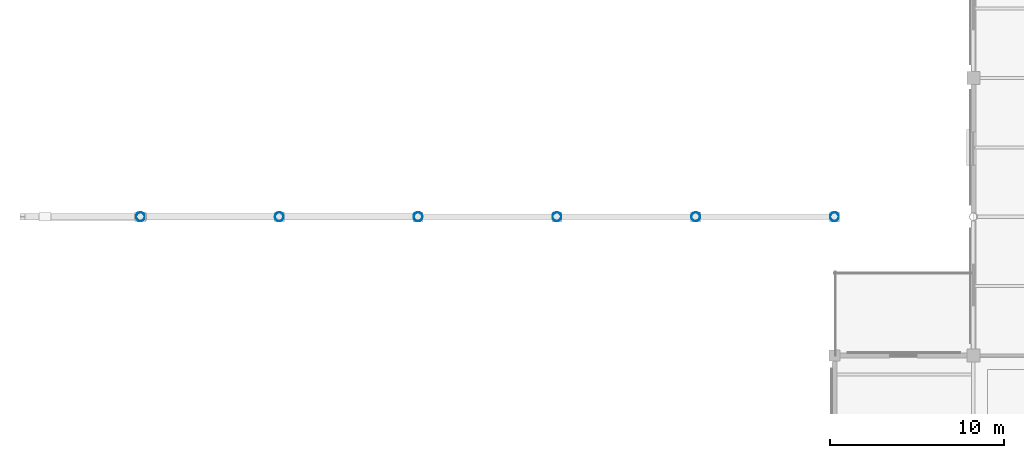
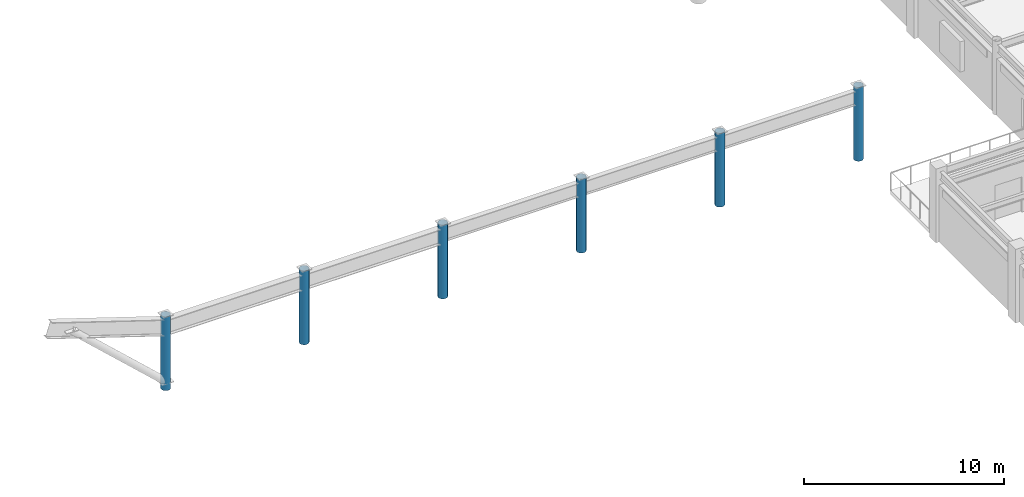
# One storey, part 2 of 78: 6 columns.
"""IFC4 building model written with IfcOpenShell, lengths in metres."""

from ifc_helpers import new_model, si_unit, direction, frame, origin, origin_2d, place, context, subcontext, project, spatial, hollow_circle, extrude, material, material_profile, profile_set, type_object, element, save


model = new_model("IFC4")

# Units and contexts
model_context = context("Model", 3, precision=1e-05, world=origin(), true_north=direction((0.0, 1.0)))
body_context = subcontext(model_context, "Body", "Model", "MODEL_VIEW")
ifc_project = project(units=[si_unit("LENGTHUNIT", "METRE"), si_unit("AREAUNIT", "SQUARE_METRE"), si_unit("VOLUMEUNIT", "CUBIC_METRE"), si_unit("PLANEANGLEUNIT", "RADIAN"), si_unit("MASSUNIT", "GRAM", prefix="KILO")], contexts=[model_context])

# Site, building, storey
site_placement = place(None, origin())
site = spatial("IfcSite", under=ifc_project, at=site_placement, CompositionType="ELEMENT")
building_placement = place(site_placement, origin())
building = spatial("IfcBuilding", under=site, at=building_placement, Name="Solmirada Galleria", CompositionType="ELEMENT")
storey_placement = place(building_placement, frame((0.0, 0.0, 23.89990234375)))
storey = spatial("IfcBuildingStorey", under=building, at=storey_placement, Name="L05", CompositionType="ELEMENT", Elevation=23.89990234375)

# Columns
ifc_material = material(Name="Steel S355 / ASTM A500 Grade C", Category="steel")
ifc_material_profile = material_profile(ifc_material, hollow_circle(Radius=0.25390625, WallThickness=0.01171875, at=origin_2d()), Name="HSS20.000X0.500")
ifc_profile_set = profile_set([ifc_material_profile], Name="Steel S355 / ASTM A500 Grade C")
column_type = type_object("IfcColumnType", Name="COL-CHS20", PredefinedType="COLUMN", material=ifc_profile_set)
for number, where, z_axis, x_axis, name in (
    (1, (40.0, 32.0, 0.0), (0.0, 0.0, 1.0), (1.0, 0.0, 0.0), "Structural column L05-0035"),
    (2, (48.0, 32.0, 0.0), (0.0, 0.0, 1.0), (1.0, 0.0, 0.0), "Structural column L05-0098"),
    (3, (56.0, 32.0, 0.0), (0.0, 0.0, 1.0), (1.0, 0.0, 0.0), "Structural column L05-0165"),
    (4, (64.0, 32.0, 0.0), (0.0, 0.0, 1.0), (1.0, 0.0, 0.0), "Structural column L05-0229"),
    (5, (72.0, 32.0, 0.0), (0.0, 0.0, 1.0), (1.0, 0.0, 0.0), "Structural column L05-0296"),
    (6, (80.0, 32.0, 0.0), (0.0, 0.0, 1.0), (1.0, 0.0, 0.0), "Structural column L05-0382"),
):
    element("IfcColumn", number, at=place(storey_placement, frame(where, z_axis=z_axis, x_axis=x_axis)), inside=storey, type_object=column_type, Name=name, PredefinedType="COLUMN", context=body_context, shape_type="SweptSolid", body=[
        extrude(hollow_circle(Radius=0.25390625, WallThickness=0.01171875, at=origin_2d()), origin(), (0.0, 0.0, 1.0), 4.5),
    ])

save(model, "model.ifc")
